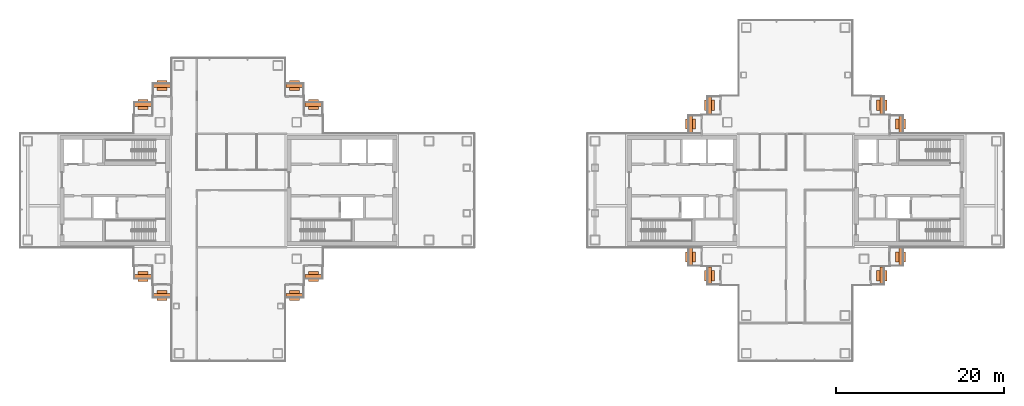
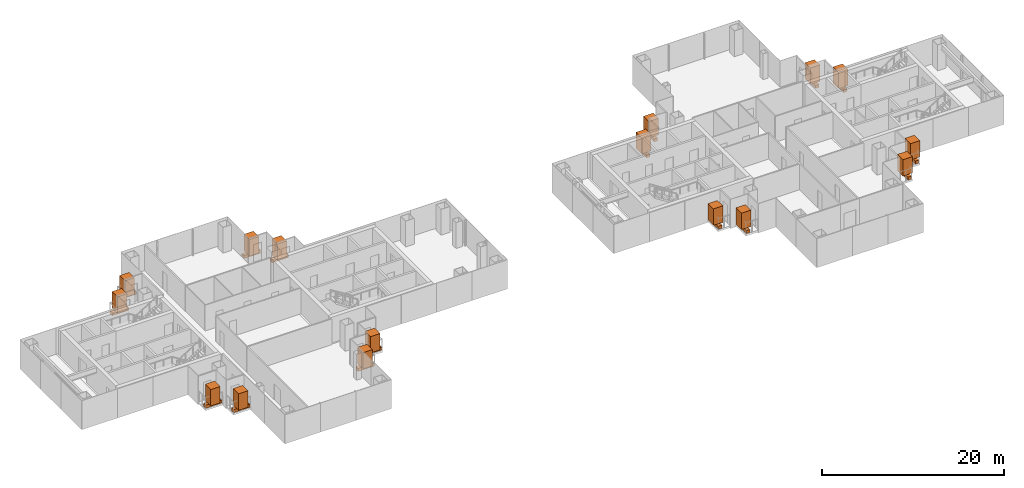
# One storey, part 17 of 17: 16 geographic elements, 16 proxies.
"""IFC4 building model written with IfcOpenShell, lengths in metres."""

from ifc_helpers import new_model, si_unit, direction, frame, origin, origin_2d, place, context, subcontext, project, spatial, rectangle, extrude, material, type_object, element, save


model = new_model("IFC4")

# Units and contexts
model_context = context("Model", 3, precision=1e-05, world=origin(), true_north=direction((0.0, 1.0)))
body_context = subcontext(model_context, "Body", "Model", "MODEL_VIEW")
ifc_project = project(units=[si_unit("LENGTHUNIT", "METRE"), si_unit("AREAUNIT", "SQUARE_METRE"), si_unit("VOLUMEUNIT", "CUBIC_METRE"), si_unit("PLANEANGLEUNIT", "RADIAN"), si_unit("MASSUNIT", "GRAM", prefix="KILO")], contexts=[model_context])

# Site, building, storey
site_placement = place(None, origin())
site = spatial("IfcSite", under=ifc_project, at=site_placement, CompositionType="ELEMENT")
building_placement = place(site_placement, origin())
building = spatial("IfcBuilding", under=site, at=building_placement, Name="Shamsa Quay Exchange Towers", CompositionType="ELEMENT")
storey_placement = place(building_placement, frame((0.0, 0.0, 174.0)))
storey = spatial("IfcBuildingStorey", under=building, at=storey_placement, Name="L41", CompositionType="ELEMENT", Elevation=174.0)

# Proxies
ifc_material_1 = material(Name="Reinforced concrete C30/37, black glass-fibre faced", Category="concrete")
building_element_proxy_type = type_object("IfcBuildingElementProxyType", Name="BALCONY PLANTER", PredefinedType="USERDEFINED", material=ifc_material_1)
for number, where, z_axis, x_axis, name in (
    (1, (-23.60595703125, 10.2451171875, 0.0), (0.0, 0.0, 1.0), (-1.0, 0.0, 0.0), "PLANTER T1-PKEN L41"),
    (2, (-25.85595703125, 12.4951171875, 0.0), (0.0, 0.0, 1.0), (-1.0, 0.0, 0.0), "PLANTER T1-PKEN L41"),
):
    element("IfcBuildingElementProxy", number, at=place(storey_placement, frame(where, z_axis=z_axis, x_axis=x_axis)), inside=storey, type_object=building_element_proxy_type, Name=name, ObjectType="PLANTER", PredefinedType="USERDEFINED", context=body_context, shape_type="SweptSolid", body=[
        extrude(rectangle(XDim=2.092041015625, YDim=0.449951171875, at=origin_2d()), origin(), (0.0, 0.0, 1.0), 0.39990234375),
    ])
for number, where, name in (
    (3, (-23.60595703125, -10.2451171875, 0.0), "PLANTER T1-PKES L41"),
    (4, (-25.85595703125, -12.4951171875, 0.0), "PLANTER T1-PKES L41"),
):
    element("IfcBuildingElementProxy", number, at=place(storey_placement, frame(where)), inside=storey, type_object=building_element_proxy_type, Name=name, ObjectType="PLANTER", PredefinedType="USERDEFINED", context=body_context, shape_type="SweptSolid", body=[
        extrude(rectangle(XDim=2.092041015625, YDim=0.449951171875, at=origin_2d()), origin(), (0.0, 0.0, 1.0), 0.39990234375),
    ])
for number, where, z_axis, x_axis, name in (
    (5, (-41.64404296875, 12.4951171875, 0.0), (0.0, 0.0, 1.0), (-1.0, 0.0, 0.0), "PLANTER T1-PKWN L41"),
    (6, (-43.89404296875, 10.2451171875, 0.0), (0.0, 0.0, 1.0), (-1.0, 0.0, 0.0), "PLANTER T1-PKWN L41"),
):
    element("IfcBuildingElementProxy", number, at=place(storey_placement, frame(where, z_axis=z_axis, x_axis=x_axis)), inside=storey, type_object=building_element_proxy_type, Name=name, ObjectType="PLANTER", PredefinedType="USERDEFINED", context=body_context, shape_type="SweptSolid", body=[
        extrude(rectangle(XDim=2.092041015625, YDim=0.449951171875, at=origin_2d()), origin(), (0.0, 0.0, 1.0), 0.39990234375),
    ])
for number, where, name in (
    (7, (-43.89404296875, -10.2451171875, 0.0), "PLANTER T1-PKWS L41"),
    (8, (-41.64404296875, -12.4951171875, 0.0), "PLANTER T1-PKWS L41"),
):
    element("IfcBuildingElementProxy", number, at=place(storey_placement, frame(where)), inside=storey, type_object=building_element_proxy_type, Name=name, ObjectType="PLANTER", PredefinedType="USERDEFINED", context=body_context, shape_type="SweptSolid", body=[
        extrude(rectangle(XDim=2.092041015625, YDim=0.449951171875, at=origin_2d()), origin(), (0.0, 0.0, 1.0), 0.39990234375),
    ])
for number, where, z_axis, x_axis, name in (
    (9, (23.5048828125, 10.14404296875, 0.0), (0.0, 0.0, 1.0), (0.0, -1.0, 0.0), "PLANTER T2-PKEN L41"),
    (10, (21.2548828125, 7.89404296875, 0.0), (0.0, 0.0, 1.0), (0.0, -1.0, 0.0), "PLANTER T2-PKEN L41"),
    (11, (43.9951171875, 10.14404296875, 0.0), (0.0, 0.0, 1.0), (0.0, 1.0, 0.0), "PLANTER T2-PKES L41"),
    (12, (46.2451171875, 7.89404296875, 0.0), (0.0, 0.0, 1.0), (0.0, 1.0, 0.0), "PLANTER T2-PKES L41"),
    (13, (21.2548828125, -7.89404296875, 0.0), (0.0, 0.0, 1.0), (0.0, -1.0, 0.0), "PLANTER T2-PKWN L41"),
    (14, (23.5048828125, -10.14404296875, 0.0), (0.0, 0.0, 1.0), (0.0, -1.0, 0.0), "PLANTER T2-PKWN L41"),
    (15, (43.9951171875, -10.14404296875, 0.0), (0.0, 0.0, 1.0), (0.0, 1.0, 0.0), "PLANTER T2-PKWS L41"),
    (16, (46.2451171875, -7.89404296875, 0.0), (0.0, 0.0, 1.0), (0.0, 1.0, 0.0), "PLANTER T2-PKWS L41"),
):
    element("IfcBuildingElementProxy", number, at=place(storey_placement, frame(where, z_axis=z_axis, x_axis=x_axis)), inside=storey, type_object=building_element_proxy_type, Name=name, ObjectType="PLANTER", PredefinedType="USERDEFINED", context=body_context, shape_type="SweptSolid", body=[
        extrude(rectangle(XDim=2.092041015625, YDim=0.449951171875, at=origin_2d()), origin(), (0.0, 0.0, 1.0), 0.39990234375),
    ])

# Geographic elements
ifc_material_2 = material(Name="Planting")
geographic_element_type = type_object("IfcGeographicElementType", Name="BALCONY TREE", PredefinedType="USERDEFINED", material=ifc_material_2)
for number, where, z_axis, x_axis, name in (
    (17, (-23.60595703125, 10.2451171875, 0.39990234375), (0.0, 0.0, 1.0), (-1.0, 0.0, 0.0), "TREE T1-PKEN L41"),
    (18, (-25.85595703125, 12.4951171875, 0.39990234375), (0.0, 0.0, 1.0), (-1.0, 0.0, 0.0), "TREE T1-PKEN L41"),
):
    element("IfcGeographicElement", number, at=place(storey_placement, frame(where, z_axis=z_axis, x_axis=x_axis)), inside=storey, type_object=geographic_element_type, Name=name, ObjectType="TREE", PredefinedType="USERDEFINED", context=body_context, shape_type="SweptSolid", body=[
        extrude(rectangle(XDim=1.199951171875, YDim=1.199951171875, at=origin_2d()), origin(), (0.0, 0.0, 1.0), 2.199951171875),
    ])
for number, where, name in (
    (19, (-23.60595703125, -10.2451171875, 0.39990234375), "TREE T1-PKES L41"),
    (20, (-25.85595703125, -12.4951171875, 0.39990234375), "TREE T1-PKES L41"),
):
    element("IfcGeographicElement", number, at=place(storey_placement, frame(where)), inside=storey, type_object=geographic_element_type, Name=name, ObjectType="TREE", PredefinedType="USERDEFINED", context=body_context, shape_type="SweptSolid", body=[
        extrude(rectangle(XDim=1.199951171875, YDim=1.199951171875, at=origin_2d()), origin(), (0.0, 0.0, 1.0), 2.199951171875),
    ])
for number, where, z_axis, x_axis, name in (
    (21, (-41.64404296875, 12.4951171875, 0.39990234375), (0.0, 0.0, 1.0), (-1.0, 0.0, 0.0), "TREE T1-PKWN L41"),
    (22, (-43.89404296875, 10.2451171875, 0.39990234375), (0.0, 0.0, 1.0), (-1.0, 0.0, 0.0), "TREE T1-PKWN L41"),
):
    element("IfcGeographicElement", number, at=place(storey_placement, frame(where, z_axis=z_axis, x_axis=x_axis)), inside=storey, type_object=geographic_element_type, Name=name, ObjectType="TREE", PredefinedType="USERDEFINED", context=body_context, shape_type="SweptSolid", body=[
        extrude(rectangle(XDim=1.199951171875, YDim=1.199951171875, at=origin_2d()), origin(), (0.0, 0.0, 1.0), 2.199951171875),
    ])
for number, where, name in (
    (23, (-43.89404296875, -10.2451171875, 0.39990234375), "TREE T1-PKWS L41"),
    (24, (-41.64404296875, -12.4951171875, 0.39990234375), "TREE T1-PKWS L41"),
):
    element("IfcGeographicElement", number, at=place(storey_placement, frame(where)), inside=storey, type_object=geographic_element_type, Name=name, ObjectType="TREE", PredefinedType="USERDEFINED", context=body_context, shape_type="SweptSolid", body=[
        extrude(rectangle(XDim=1.199951171875, YDim=1.199951171875, at=origin_2d()), origin(), (0.0, 0.0, 1.0), 2.199951171875),
    ])
for number, where, z_axis, x_axis, name in (
    (25, (23.5048828125, 10.14404296875, 0.39990234375), (0.0, 0.0, 1.0), (0.0, -1.0, 0.0), "TREE T2-PKEN L41"),
    (26, (21.2548828125, 7.89404296875, 0.39990234375), (0.0, 0.0, 1.0), (0.0, -1.0, 0.0), "TREE T2-PKEN L41"),
    (27, (43.9951171875, 10.14404296875, 0.39990234375), (0.0, 0.0, 1.0), (0.0, 1.0, 0.0), "TREE T2-PKES L41"),
    (28, (46.2451171875, 7.89404296875, 0.39990234375), (0.0, 0.0, 1.0), (0.0, 1.0, 0.0), "TREE T2-PKES L41"),
    (29, (21.2548828125, -7.89404296875, 0.39990234375), (0.0, 0.0, 1.0), (0.0, -1.0, 0.0), "TREE T2-PKWN L41"),
    (30, (23.5048828125, -10.14404296875, 0.39990234375), (0.0, 0.0, 1.0), (0.0, -1.0, 0.0), "TREE T2-PKWN L41"),
    (31, (43.9951171875, -10.14404296875, 0.39990234375), (0.0, 0.0, 1.0), (0.0, 1.0, 0.0), "TREE T2-PKWS L41"),
    (32, (46.2451171875, -7.89404296875, 0.39990234375), (0.0, 0.0, 1.0), (0.0, 1.0, 0.0), "TREE T2-PKWS L41"),
):
    element("IfcGeographicElement", number, at=place(storey_placement, frame(where, z_axis=z_axis, x_axis=x_axis)), inside=storey, type_object=geographic_element_type, Name=name, ObjectType="TREE", PredefinedType="USERDEFINED", context=body_context, shape_type="SweptSolid", body=[
        extrude(rectangle(XDim=1.199951171875, YDim=1.199951171875, at=origin_2d()), origin(), (0.0, 0.0, 1.0), 2.199951171875),
    ])

save(model, "model.ifc")
